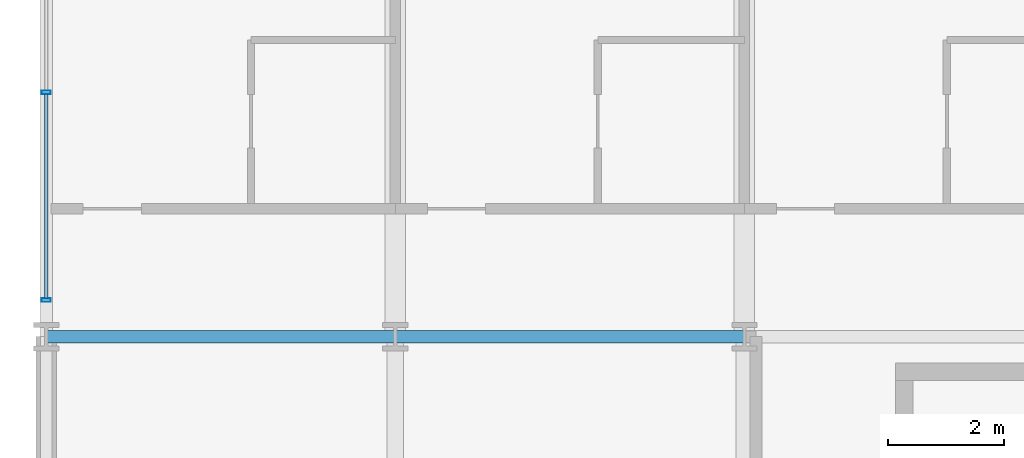
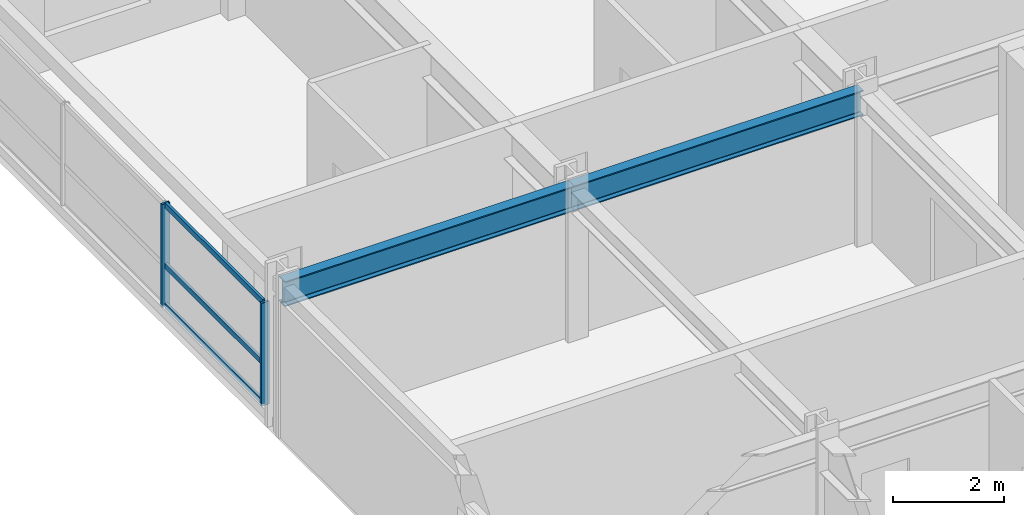
# One storey, part 8 of 24: 5 members, 2 beams, 1 element without a shape of its own.
"""IFC4 building model written with IfcOpenShell, lengths in metres."""

from ifc_helpers import new_model, si_unit, direction, frame, origin, origin_2d, place, context, subcontext, project, spatial, hollow_rectangle, i_section, extrude, material, material_profile, profile_set, type_object, element, aggregate, save


model = new_model("IFC4")

# Units and contexts
model_context = context("Model", 3, precision=1e-05, world=origin(), true_north=direction((0.0, 1.0)))
body_context = subcontext(model_context, "Body", "Model", "MODEL_VIEW")
ifc_project = project(units=[si_unit("LENGTHUNIT", "METRE"), si_unit("AREAUNIT", "SQUARE_METRE"), si_unit("VOLUMEUNIT", "CUBIC_METRE"), si_unit("PLANEANGLEUNIT", "RADIAN"), si_unit("MASSUNIT", "GRAM", prefix="KILO")], contexts=[model_context])

# Site, building, storey
site_placement = place(None, origin())
site = spatial("IfcSite", under=ifc_project, at=site_placement, CompositionType="ELEMENT")
building_placement = place(site_placement, origin())
building = spatial("IfcBuilding", under=site, at=building_placement, Name="Kaldorvane Square Convention Centre", CompositionType="ELEMENT")
storey_placement = place(building_placement, frame((0.0, 0.0, 27.600006103515625)))
storey = spatial("IfcBuildingStorey", under=building, at=storey_placement, Name="L05", CompositionType="ELEMENT", Elevation=27.600006103515625)

# Beams
ifc_material_1 = material(Name="Steel ASTM A992 Gr. 50", Category="steel")
ifc_material_profile_1 = material_profile(ifc_material_1, i_section(OverallWidth=0.213897705078125, OverallDepth=0.549102783203125, WebThickness=0.0146942138671875, FlangeThickness=0.0236053466796875, FilletRadius=0.0126953125, at=origin_2d()), Name="W21X93")
ifc_profile_set_1 = profile_set([ifc_material_profile_1], Name="Steel ASTM A992 Gr. 50")
beam_type = type_object("IfcBeamType", Name="BM-GR-W21X93", PredefinedType="BEAM", material=ifc_profile_set_1)
for number, where, z_axis, x_axis, name in (
    (1, (24.0, 105.0, 3.0114898681640625), (1.0, 0.0, 0.0), (0.0, 1.0, 0.0), "Primary Girder (L05)"),
    (2, (30.0, 105.0, 3.0114898681640625), (1.0, 0.0, 0.0), (0.0, 1.0, 0.0), "Primary Girder (L05)"),
):
    element("IfcBeam", number, at=place(storey_placement, frame(where, z_axis=z_axis, x_axis=x_axis)), inside=storey, type_object=beam_type, Name=name, PredefinedType="BEAM", context=body_context, shape_type="SweptSolid", body=[
        extrude(i_section(OverallWidth=0.213897705078125, OverallDepth=0.549102783203125, WebThickness=0.0146942138671875, FlangeThickness=0.0236053466796875, FilletRadius=0.0126953125, at=origin_2d()), origin(), (0.0, 0.0, 1.0), 6.0),
    ])

# Curtain wall, members
ifc_material_2 = material(Name="Anodized Aluminum and Low-E Insulated Glazing", Category="aluminium")
curtain_wall_type = type_object("IfcCurtainWallType", Name="CW-UNI-HTL-B", PredefinedType="USERDEFINED", material=ifc_material_2)
curtain_wall_placement = place(storey_placement, origin())
curtain_wall = element("IfcCurtainWall", 3, at=curtain_wall_placement, inside=storey, type_object=curtain_wall_type, Name="Curtain Wall CW-11 (L05)", ObjectType="UNITISED GLAZING", PredefinedType="USERDEFINED")
ifc_material_profile_2 = material_profile(ifc_material_2, hollow_rectangle(XDim=0.05999755859375, YDim=0.160003662109375, WallThickness=0.003204345703125, at=origin_2d()), Name="CWM-160X60")
ifc_profile_set_2 = profile_set([ifc_material_profile_2], Name="Anodized Aluminum and Low-E Insulated Glazing")
member_type_1 = type_object("IfcMemberType", Name="CW-MUL-160", PredefinedType="MULLION", material=ifc_profile_set_2)
member_1_placement = place(storey_placement, frame((24.0, 109.19999694824219, 0.149993896484375), z_axis=(0.0, 0.0, 1.0), x_axis=(0.0, -1.0, 0.0)))
member_1 = element("IfcMember", 4, at=member_1_placement, type_object=member_type_1, Name="CW-11 mullion 3", PredefinedType="MULLION", context=body_context, shape_type="SweptSolid", body=[
    extrude(hollow_rectangle(XDim=0.05999755859375, YDim=0.160003662109375, WallThickness=0.003204345703125, at=origin_2d()), origin(), (0.0, 0.0, 1.0), 2.2599945068359375),
])
member_2_placement = place(storey_placement, frame((24.0, 105.6300048828125, 0.149993896484375), z_axis=(0.0, 0.0, 1.0), x_axis=(0.0, -1.0, 0.0)))
member_2 = element("IfcMember", 5, at=member_2_placement, type_object=member_type_1, Name="CW-11 mullion 4", PredefinedType="MULLION", context=body_context, shape_type="SweptSolid", body=[
    extrude(hollow_rectangle(XDim=0.05999755859375, YDim=0.160003662109375, WallThickness=0.003204345703125, at=origin_2d()), origin(), (0.0, 0.0, 1.0), 2.2599945068359375),
])
ifc_material_profile_3 = material_profile(ifc_material_2, hollow_rectangle(XDim=0.05499267578125, YDim=0.1199951171875, WallThickness=0.0030059814453125, at=origin_2d()), Name="CWT-120X55")
ifc_profile_set_3 = profile_set([ifc_material_profile_3], Name="Anodized Aluminum and Low-E Insulated Glazing")
member_type_2 = type_object("IfcMemberType", Name="CW-TRN-120", PredefinedType="USERDEFINED", material=ifc_profile_set_3)
member_3_placement = place(storey_placement, frame((24.0, 109.16999816894531, 0.177490234375), z_axis=(0.0, -1.0, 0.0), x_axis=(1.0, 0.0, 0.0)))
member_3 = element("IfcMember", 6, at=member_3_placement, type_object=member_type_2, Name="CW-11 transom 3.1", ObjectType="TRANSOM", PredefinedType="USERDEFINED", context=body_context, shape_type="SweptSolid", body=[
    extrude(hollow_rectangle(XDim=0.05499267578125, YDim=0.1199951171875, WallThickness=0.0030059814453125, at=origin_2d()), origin(), (0.0, 0.0, 1.0), 3.5099945068359375),
])
member_4_placement = place(storey_placement, frame((24.0, 109.16999816894531, 1.04998779296875), z_axis=(0.0, -1.0, 0.0), x_axis=(1.0, 0.0, 0.0)))
member_4 = element("IfcMember", 7, at=member_4_placement, type_object=member_type_2, Name="CW-11 transom 3.2", ObjectType="TRANSOM", PredefinedType="USERDEFINED", context=body_context, shape_type="SweptSolid", body=[
    extrude(hollow_rectangle(XDim=0.05499267578125, YDim=0.1199951171875, WallThickness=0.0030059814453125, at=origin_2d()), origin(), (0.0, 0.0, 1.0), 3.5099945068359375),
])
member_5_placement = place(storey_placement, frame((24.0, 109.16999816894531, 2.3824920654296875), z_axis=(0.0, -1.0, 0.0), x_axis=(1.0, 0.0, 0.0)))
member_5 = element("IfcMember", 8, at=member_5_placement, type_object=member_type_2, Name="CW-11 transom 3.3", ObjectType="TRANSOM", PredefinedType="USERDEFINED", context=body_context, shape_type="SweptSolid", body=[
    extrude(hollow_rectangle(XDim=0.05499267578125, YDim=0.1199951171875, WallThickness=0.0030059814453125, at=origin_2d()), origin(), (0.0, 0.0, 1.0), 3.5099945068359375),
])
aggregate(curtain_wall, [member_1, member_2, member_3, member_4, member_5])

save(model, "model.ifc")
